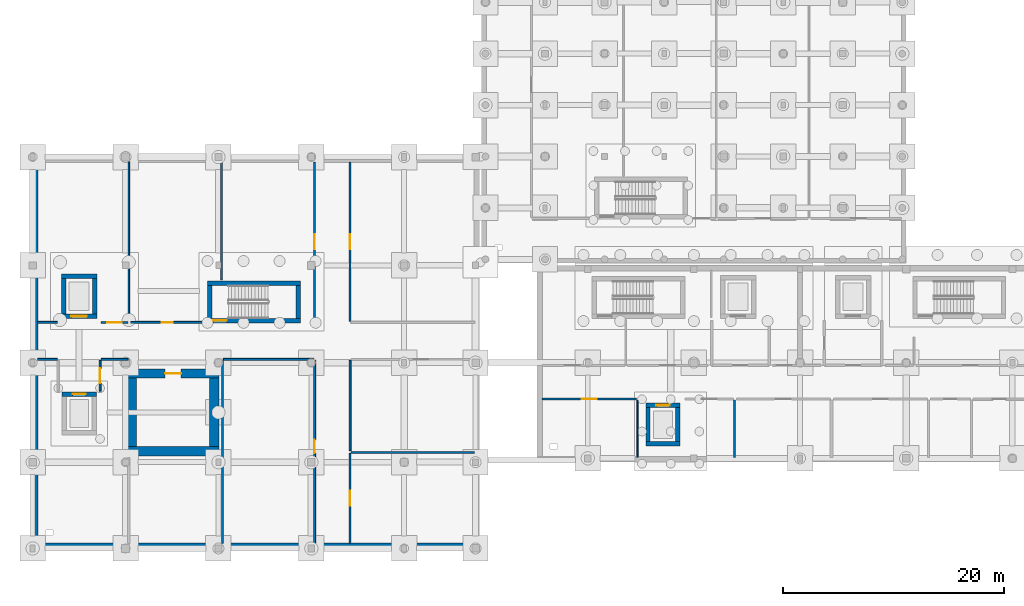
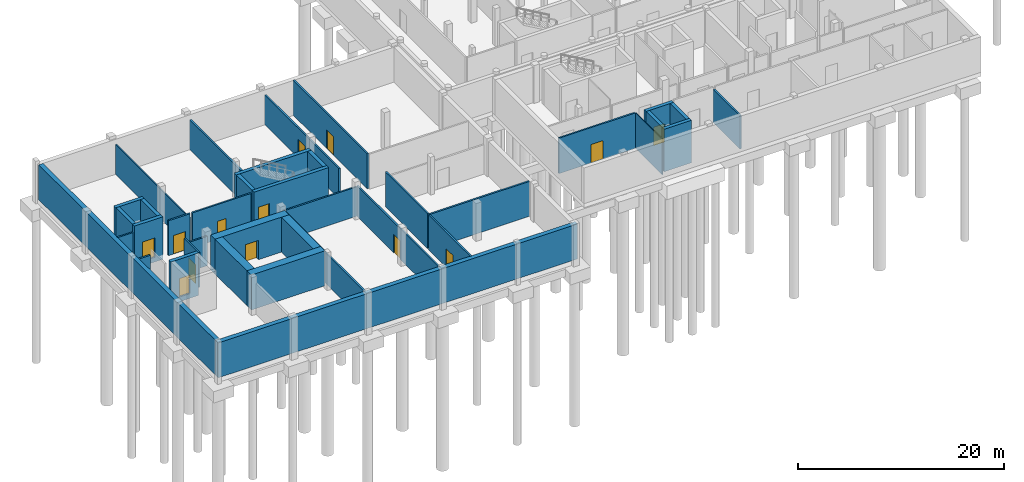
# One storey, part 6 of 14: 38 walls, 13 doors, 13 openings.
"""IFC4 building model written with IfcOpenShell, lengths in metres."""

from ifc_helpers import new_model, si_unit, direction, frame, frame_2d, origin, place, context, subcontext, project, spatial, rectangle, extrude, material, layer, layer_set, type_object, element, fill, save


model = new_model("IFC4")

# Units and contexts
model_context = context("Model", 3, precision=1e-05, world=origin(), true_north=direction((0.0, 1.0)))
body_context = subcontext(model_context, "Body", "Model", "MODEL_VIEW")
ifc_project = project(units=[si_unit("LENGTHUNIT", "METRE"), si_unit("AREAUNIT", "SQUARE_METRE"), si_unit("VOLUMEUNIT", "CUBIC_METRE"), si_unit("PLANEANGLEUNIT", "RADIAN"), si_unit("MASSUNIT", "GRAM", prefix="KILO")], contexts=[model_context])

# Site, building, storey
site_placement = place(None, origin())
site = spatial("IfcSite", under=ifc_project, at=site_placement, CompositionType="ELEMENT")
building_placement = place(site_placement, origin())
building = spatial("IfcBuilding", under=site, at=building_placement, Name="Birchvale Park Specialist Clinic", CompositionType="ELEMENT")
storey_placement = place(building_placement, frame((0.0, 0.0, -4.5)))
storey = spatial("IfcBuildingStorey", under=building, at=storey_placement, Name="B1", CompositionType="ELEMENT", Elevation=-4.5)

# Wall
ifc_material_1 = material(Name="Concrete C40/50", Category="concrete")
ifc_layer_1 = layer(ifc_material_1, 0.85009765625)
ifc_layer_set_1 = layer_set([ifc_layer_1], Name="Concrete C40/50")
wall_type_1 = type_object("IfcWallType", Name="WL-BW-120", PredefinedType="SHEAR", material=ifc_layer_set_1)
wall_1_placement = place(storey_placement, frame((19.75, 17.77490234375, 0.0), z_axis=(0.0, 0.0, 1.0), x_axis=(1.0, 0.0, 0.0)))
element("IfcWall", 1, at=wall_1_placement, inside=storey, type_object=wall_type_1, Name="B1 Linac radiation-shielded bunker wall (south)", PredefinedType="SHEAR", context=body_context, shape_type="SweptSolid", body=[
    extrude(rectangle(XDim=8.300048828125, YDim=0.85009765625, at=frame_2d((4.14990234375, 0.0))), origin(), (0.0, 0.0, 1.0), 4.14990234375),
])

# Wall, opening, door
wall_2_placement = place(storey_placement, frame((28.050048828125, 24.824951171875, 0.0), z_axis=(0.0, 0.0, 1.0), x_axis=(-1.0, 0.0, 0.0)))
wall_2 = element("IfcWall", 2, at=wall_2_placement, inside=storey, type_object=wall_type_1, Name="B1 Linac radiation-shielded bunker wall (north)", PredefinedType="SHEAR", context=body_context, shape_type="SweptSolid", body=[
    extrude(rectangle(XDim=8.300048828125, YDim=0.85009765625, at=frame_2d((4.14990234375, 0.0))), origin(), (0.0, 0.0, 1.0), 4.14990234375),
])
opening_1_placement = place(wall_2_placement, frame((3.425048828125, 0.0, 0.0)))
opening_1 = element("IfcOpeningElement", 3, at=opening_1_placement, cuts=wall_2, Name="Opening ID-BK90", PredefinedType="OPENING", context=body_context, shape_type="SweptSolid", body=[
    extrude(rectangle(XDim=1.449951171875, YDim=2.300048828125, at=frame_2d((0.72509765625, 1.14990234375))), frame((0.0, 0.43505859375, 0.0), z_axis=(0.0, -1.0, 0.0), x_axis=(1.0, 0.0, 0.0)), (0.0, 0.0, 1.0), 0.8701171875),
])
ifc_material_2 = material(Name="Solid-core birch veneer and anodised aluminium", Category="aluminium")
door_type_1 = type_object("IfcDoorType", Name="DR-ID-BK90", OperationType="NOTDEFINED", PredefinedType="DOOR", material=ifc_material_2)
door_1_placement = place(opening_1_placement, origin())
door_1 = element("IfcDoor", 4, at=door_1_placement, inside=storey, type_object=door_type_1, Name="B1 Linac radiation bunker shielded door", OperationType="SINGLE_SWING_RIGHT", OverallHeight=2.300048828125, OverallWidth=1.449951171875, PredefinedType="DOOR", context=body_context, shape_type="SweptSolid", body=[
    extrude(rectangle(XDim=1.449951171875, YDim=2.300048828125, at=frame_2d((0.72509765625, 1.14990234375))), frame((0.0, 0.02490234375, 0.0), z_axis=(0.0, -1.0, 0.0), x_axis=(1.0, 0.0, 0.0)), (0.0, 0.0, 1.0), 0.050048828125),
])
fill(opening_1, door_1)

# Walls
for number, where, z_axis, x_axis, name in (
    (5, (20.175048828125, 18.199951171875, 0.0), (0.0, 0.0, 1.0), (0.0, 1.0, 0.0), "B1 Linac radiation-shielded bunker wall (west)"),
    (6, (27.625, 24.39990234375, 0.0), (0.0, 0.0, 1.0), (0.0, -1.0, 0.0), "B1 Linac radiation-shielded bunker wall (east)"),
):
    element("IfcWall", number, at=place(storey_placement, frame(where, z_axis=z_axis, x_axis=x_axis)), inside=storey, type_object=wall_type_1, Name=name, PredefinedType="SHEAR", context=body_context, shape_type="SweptSolid", body=[
        extrude(rectangle(XDim=6.199951171875, YDim=0.85009765625, at=frame_2d((3.10009765625, 0.0))), origin(), (0.0, 0.0, 1.0), 4.14990234375),
    ])

# Wall, opening, door
ifc_layer_2 = layer(ifc_material_1, 0.39990234375)
ifc_layer_set_2 = layer_set([ifc_layer_2], Name="Concrete C40/50")
wall_type_2 = type_object("IfcWallType", Name="WL-CW-120", PredefinedType="SHEAR", material=ifc_layer_set_2)
wall_3_placement = place(storey_placement, frame((27.0, 29.60009765625, -0.550048828125), z_axis=(0.0, 0.0, 1.0), x_axis=(1.0, 0.0, 0.0)))
wall_3 = element("IfcWall", 7, at=wall_3_placement, inside=storey, type_object=wall_type_2, Name="B1 stair ST2 EI 120 enclosure wall (south)", PredefinedType="SHEAR", context=body_context, shape_type="SweptSolid", body=[
    extrude(rectangle(XDim=8.39990234375, YDim=0.39990234375, at=frame_2d((4.199951171875, 0.0))), origin(), (0.0, 0.0, 1.0), 4.699951171875),
])
opening_2_placement = place(wall_3_placement, frame((0.52001953125, 0.0, 0.550048828125)))
opening_2 = element("IfcOpeningElement", 8, at=opening_2_placement, cuts=wall_3, Name="Opening ID-FD60", PredefinedType="OPENING", context=body_context, shape_type="SweptSolid", body=[
    extrude(rectangle(XDim=1.25, YDim=2.199951171875, at=frame_2d((0.625, 1.10009765625))), frame((0.0, 0.2099609375, 0.0), z_axis=(0.0, -1.0, 0.0), x_axis=(1.0, 0.0, 0.0)), (0.0, 0.0, 1.0), 0.419921875),
])
door_type_2 = type_object("IfcDoorType", Name="DR-ID-FD60", OperationType="NOTDEFINED", PredefinedType="DOOR", material=ifc_material_2)
door_2_placement = place(opening_2_placement, origin())
door_2 = element("IfcDoor", 9, at=door_2_placement, inside=storey, type_object=door_type_2, Name="B1 stair ST2 fire door", OperationType="SINGLE_SWING_LEFT", OverallHeight=2.199951171875, OverallWidth=1.25, PredefinedType="DOOR", context=body_context, shape_type="SweptSolid", body=[
    extrude(rectangle(XDim=1.25, YDim=2.199951171875, at=frame_2d((0.625, 1.10009765625))), frame((0.0, 0.02490234375, 0.0), z_axis=(0.0, -1.0, 0.0), x_axis=(1.0, 0.0, 0.0)), (0.0, 0.0, 1.0), 0.050048828125),
])
fill(opening_2, door_2)

# Walls
wall_4_placement = place(storey_placement, frame((35.39990234375, 33.0, -0.550048828125), z_axis=(0.0, 0.0, 1.0), x_axis=(-1.0, 0.0, 0.0)))
element("IfcWall", 10, at=wall_4_placement, inside=storey, type_object=wall_type_2, Name="B1 stair ST2 EI 120 enclosure wall (north)", PredefinedType="SHEAR", context=body_context, shape_type="SweptSolid", body=[
    extrude(rectangle(XDim=8.39990234375, YDim=0.39990234375, at=frame_2d((4.199951171875, 0.0))), origin(), (0.0, 0.0, 1.0), 4.699951171875),
])
for number, where, z_axis, x_axis, name in (
    (11, (27.199951171875, 29.800048828125, -0.550048828125), (0.0, 0.0, 1.0), (0.0, 1.0, 0.0), "B1 stair ST2 EI 120 enclosure wall (west)"),
    (12, (35.199951171875, 32.800048828125, -0.550048828125), (0.0, 0.0, 1.0), (0.0, -1.0, 0.0), "B1 stair ST2 EI 120 enclosure wall (east)"),
):
    element("IfcWall", number, at=place(storey_placement, frame(where, z_axis=z_axis, x_axis=x_axis)), inside=storey, type_object=wall_type_2, Name=name, PredefinedType="SHEAR", context=body_context, shape_type="SweptSolid", body=[
        extrude(rectangle(XDim=3.0, YDim=0.39990234375, at=frame_2d((1.5, 0.0))), origin(), (0.0, 0.0, 1.0), 4.699951171875),
    ])
wall_5_placement = place(storey_placement, frame((66.64990234375, 18.449951171875, -0.550048828125), z_axis=(0.0, 0.0, 1.0), x_axis=(1.0, 0.0, 0.0)))
element("IfcWall", 13, at=wall_5_placement, inside=storey, type_object=wall_type_2, Name="B1 lift LP1 shaft wall (south)", PredefinedType="SHEAR", context=body_context, shape_type="SweptSolid", body=[
    extrude(rectangle(XDim=3.10009765625, YDim=0.39990234375, at=frame_2d((1.550048828125, 0.0))), origin(), (0.0, 0.0, 1.0), 5.050048828125),
])

# Wall, opening, door
wall_6_placement = place(storey_placement, frame((69.75, 21.949951171875, -0.550048828125), z_axis=(0.0, 0.0, 1.0), x_axis=(-1.0, 0.0, 0.0)))
wall_6 = element("IfcWall", 14, at=wall_6_placement, inside=storey, type_object=wall_type_2, Name="B1 lift LP1 shaft wall (north)", PredefinedType="SHEAR", context=body_context, shape_type="SweptSolid", body=[
    extrude(rectangle(XDim=3.10009765625, YDim=0.39990234375, at=frame_2d((1.550048828125, 0.0))), origin(), (0.0, 0.0, 1.0), 5.050048828125),
])
opening_3_placement = place(wall_6_placement, frame((0.949951171875, 0.0, 0.550048828125)))
opening_3 = element("IfcOpeningElement", 15, at=opening_3_placement, cuts=wall_6, Name="Opening LD-01", PredefinedType="OPENING", context=body_context, shape_type="SweptSolid", body=[
    extrude(rectangle(XDim=1.199951171875, YDim=2.199951171875, at=frame_2d((0.60009765625, 1.10009765625))), frame((0.0, 0.2099609375, 0.0), z_axis=(0.0, -1.0, 0.0), x_axis=(1.0, 0.0, 0.0)), (0.0, 0.0, 1.0), 0.419921875),
])
door_type_3 = type_object("IfcDoorType", Name="DR-LD-01", OperationType="DOUBLE_DOOR_SLIDING", PredefinedType="DOOR", material=ifc_material_2)
door_3_placement = place(opening_3_placement, origin())
door_3 = element("IfcDoor", 16, at=door_3_placement, inside=storey, type_object=door_type_3, Name="B1 lift LP1 sliding landing door", OperationType="DOUBLE_DOOR_SLIDING", OverallHeight=2.199951171875, OverallWidth=1.199951171875, PredefinedType="DOOR", context=body_context, shape_type="SweptSolid", body=[
    extrude(rectangle(XDim=1.199951171875, YDim=2.199951171875, at=frame_2d((0.60009765625, 1.10009765625))), frame((0.0, 0.02490234375, 0.0), z_axis=(0.0, -1.0, 0.0), x_axis=(1.0, 0.0, 0.0)), (0.0, 0.0, 1.0), 0.050048828125),
])
fill(opening_3, door_3)

# Walls
for number, where, z_axis, x_axis, name in (
    (17, (66.85009765625, 18.64990234375, -0.550048828125), (0.0, 0.0, 1.0), (0.0, 1.0, 0.0), "B1 lift LP1 shaft wall (west)"),
    (18, (69.550048828125, 21.75, -0.550048828125), (0.0, 0.0, 1.0), (0.0, -1.0, 0.0), "B1 lift LP1 shaft wall (east)"),
):
    element("IfcWall", number, at=place(storey_placement, frame(where, z_axis=z_axis, x_axis=x_axis)), inside=storey, type_object=wall_type_2, Name=name, PredefinedType="SHEAR", context=body_context, shape_type="SweptSolid", body=[
        extrude(rectangle(XDim=3.10009765625, YDim=0.39990234375, at=frame_2d((1.550048828125, 0.0))), origin(), (0.0, 0.0, 1.0), 5.050048828125),
    ])

# Wall, opening, door
wall_7_placement = place(storey_placement, frame((16.949951171875, 22.949951171875, -0.550048828125), z_axis=(0.0, 0.0, 1.0), x_axis=(-1.0, 0.0, 0.0)))
wall_7 = element("IfcWall", 19, at=wall_7_placement, inside=storey, type_object=wall_type_2, Name="B1 lift LP3 shaft wall (north)", PredefinedType="SHEAR", context=body_context, shape_type="SweptSolid", body=[
    extrude(rectangle(XDim=3.099853515625, YDim=0.39990234375, at=frame_2d((1.5498046875, 0.0))), origin(), (0.0, 0.0, 1.0), 5.050048828125),
])
opening_4_placement = place(wall_7_placement, frame((0.949951171875, 0.0, 0.550048828125)))
opening_4 = element("IfcOpeningElement", 20, at=opening_4_placement, cuts=wall_7, Name="Opening LD-01", PredefinedType="OPENING", context=body_context, shape_type="SweptSolid", body=[
    extrude(rectangle(XDim=1.199951171875, YDim=2.199951171875, at=frame_2d((0.60009765625, 1.10009765625))), frame((0.0, 0.2099609375, 0.0), z_axis=(0.0, -1.0, 0.0), x_axis=(1.0, 0.0, 0.0)), (0.0, 0.0, 1.0), 0.419921875),
])
door_4_placement = place(opening_4_placement, origin())
door_4 = element("IfcDoor", 21, at=door_4_placement, inside=storey, type_object=door_type_3, Name="B1 lift LP3 sliding landing door", OperationType="DOUBLE_DOOR_SLIDING", OverallHeight=2.199951171875, OverallWidth=1.199951171875, PredefinedType="DOOR", context=body_context, shape_type="SweptSolid", body=[
    extrude(rectangle(XDim=1.199951171875, YDim=2.199951171875, at=frame_2d((0.60009765625, 1.10009765625))), frame((0.0, 0.02490234375, 0.0), z_axis=(0.0, -1.0, 0.0), x_axis=(1.0, 0.0, 0.0)), (0.0, 0.0, 1.0), 0.050048828125),
])
fill(opening_4, door_4)

wall_8_placement = place(storey_placement, frame((13.800048828125, 30.0, -0.550048828125), z_axis=(0.0, 0.0, 1.0), x_axis=(1.0, 0.0, 0.0)))
wall_8 = element("IfcWall", 22, at=wall_8_placement, inside=storey, type_object=wall_type_2, Name="B1 lift LS1 shaft wall (south)", PredefinedType="SHEAR", context=body_context, shape_type="SweptSolid", body=[
    extrude(rectangle(XDim=3.199951171875, YDim=0.39990234375, at=frame_2d((1.60009765625, 0.0))), origin(), (0.0, 0.0, 1.0), 5.050048828125),
])
opening_5_placement = place(wall_8_placement, frame((0.89990234375, 0.0, 0.550048828125)))
opening_5 = element("IfcOpeningElement", 23, at=opening_5_placement, cuts=wall_8, Name="Opening LD-03", PredefinedType="OPENING", context=body_context, shape_type="SweptSolid", body=[
    extrude(rectangle(XDim=1.39990234375, YDim=2.300048828125, at=frame_2d((0.699951171875, 1.14990234375))), frame((0.0, 0.2099609375, 0.0), z_axis=(0.0, -1.0, 0.0), x_axis=(1.0, 0.0, 0.0)), (0.0, 0.0, 1.0), 0.419921875),
])
door_type_4 = type_object("IfcDoorType", Name="DR-LD-03", OperationType="DOUBLE_DOOR_SLIDING", PredefinedType="DOOR", material=ifc_material_2)
door_5_placement = place(opening_5_placement, origin())
door_5 = element("IfcDoor", 24, at=door_5_placement, inside=storey, type_object=door_type_4, Name="B1 lift LS1 sliding landing door", OperationType="DOUBLE_DOOR_SLIDING", OverallHeight=2.300048828125, OverallWidth=1.39990234375, PredefinedType="DOOR", context=body_context, shape_type="SweptSolid", body=[
    extrude(rectangle(XDim=1.39990234375, YDim=2.300048828125, at=frame_2d((0.699951171875, 1.14990234375))), frame((0.0, 0.02490234375, 0.0), z_axis=(0.0, -1.0, 0.0), x_axis=(1.0, 0.0, 0.0)), (0.0, 0.0, 1.0), 0.050048828125),
])
fill(opening_5, door_5)

# Walls
for number, where, z_axis, x_axis, name in (
    (25, (17.0, 33.60009765625, -0.550048828125), (0.0, 0.0, 1.0), (-1.0, 0.0, 0.0), "B1 lift LS1 shaft wall (north)"),
    (26, (14.0, 30.199951171875, -0.550048828125), (0.0, 0.0, 1.0), (0.0, 1.0, 0.0), "B1 lift LS1 shaft wall (west)"),
    (27, (16.800048828125, 33.39990234375, -0.550048828125), (0.0, 0.0, 1.0), (0.0, -1.0, 0.0), "B1 lift LS1 shaft wall (east)"),
):
    element("IfcWall", number, at=place(storey_placement, frame(where, z_axis=z_axis, x_axis=x_axis)), inside=storey, type_object=wall_type_2, Name=name, PredefinedType="SHEAR", context=body_context, shape_type="SweptSolid", body=[
        extrude(rectangle(XDim=3.199951171875, YDim=0.39990234375, at=frame_2d((1.60009765625, 0.0))), origin(), (0.0, 0.0, 1.0), 5.050048828125),
    ])
ifc_material_3 = material(Name="Acoustic gypsum board on metal framing")
ifc_layer_3 = layer(ifc_material_3, 0.125)
ifc_layer_set_3 = layer_set([ifc_layer_3], Name="Acoustic gypsum board on metal framing")
wall_type_3 = type_object("IfcWallType", Name="WL-IW-04", PredefinedType="PARTITIONING", material=ifc_layer_set_3)
wall_9_placement = place(storey_placement, frame((19.89990234375, 43.9599609375, 0.0), z_axis=(0.0, 0.0, 1.0), x_axis=(0.0, -1.0, 0.0)))
element("IfcWall", 28, at=wall_9_placement, inside=storey, type_object=wall_type_3, Name="V2 B1 clinical partition 23", PredefinedType="PARTITIONING", context=body_context, shape_type="SweptSolid", body=[
    extrude(rectangle(XDim=14.429931640625, YDim=0.125, at=frame_2d((7.21484375, 0.0))), origin(), (0.0, 0.0, 1.0), 3.534912109375),
])
ifc_layer_4 = layer(ifc_material_3, 0.10009765625)
ifc_layer_set_4 = layer_set([ifc_layer_4], Name="Acoustic gypsum board on metal framing")
wall_type_4 = type_object("IfcWallType", Name="WL-IW-06", PredefinedType="PARTITIONING", material=ifc_layer_set_4)
wall_10_placement = place(storey_placement, frame((65.89599609375, 22.419921875, 0.0), z_axis=(0.0, 0.0, 1.0), x_axis=(0.0, -1.0, 0.0)))
element("IfcWall", 29, at=wall_10_placement, inside=storey, type_object=wall_type_4, Name="V4 B1 clinical partition 30", PredefinedType="PARTITIONING", context=body_context, shape_type="SweptSolid", body=[
    extrude(rectangle(XDim=5.179931640625, YDim=0.10009765625, at=frame_2d((2.58984375, 0.0))), origin(), (0.0, 0.0, 1.0), 4.219970703125),
])
ifc_layer_5 = layer(ifc_material_3, 0.195068359375)
ifc_layer_set_5 = layer_set([ifc_layer_5], Name="Acoustic gypsum board on metal framing")
wall_type_5 = type_object("IfcWallType", Name="WL-IW-07", PredefinedType="PARTITIONING", material=ifc_layer_set_5)
wall_11_placement = place(storey_placement, frame((28.360107421875, 9.43994140625, 0.0), z_axis=(0.0, 0.0, 1.0), x_axis=(0.0, 1.0, 0.0)))
element("IfcWall", 30, at=wall_11_placement, inside=storey, type_object=wall_type_5, Name="V2 B1 clinical partition 14", PredefinedType="PARTITIONING", context=body_context, shape_type="SweptSolid", body=[
    extrude(rectangle(XDim=16.580078125, YDim=0.195068359375, at=frame_2d((8.2900390625, 0.0))), origin(), (0.0, 0.0, 1.0), 3.635009765625),
])
wall_12_placement = place(storey_placement, frame((39.97998046875, 17.68994140625, 0.0), z_axis=(0.0, 0.0, 1.0), x_axis=(1.0, 0.0, 0.0)))
element("IfcWall", 31, at=wall_12_placement, inside=storey, type_object=wall_type_5, Name="V2 B1 clinical partition 17", PredefinedType="PARTITIONING", context=body_context, shape_type="SweptSolid", body=[
    extrude(rectangle(XDim=11.179931640625, YDim=0.195068359375, at=frame_2d((5.58984375, 0.0))), origin(), (0.0, 0.0, 1.0), 4.14990234375),
])
wall_13_placement = place(storey_placement, frame((28.280029296875, 43.9599609375, 0.0), z_axis=(0.0, 0.0, 1.0), x_axis=(0.0, -1.0, 0.0)))
element("IfcWall", 32, at=wall_13_placement, inside=storey, type_object=wall_type_5, Name="V2 B1 clinical partition 25", PredefinedType="PARTITIONING", context=body_context, shape_type="SweptSolid", body=[
    extrude(rectangle(XDim=10.659912109375, YDim=0.195068359375, at=frame_2d((5.330078125, 0.0))), origin(), (0.0, 0.0, 1.0), 3.534912109375),
])
wall_14_placement = place(storey_placement, frame((74.672119140625, 22.419921875, 0.0), z_axis=(0.0, 0.0, 1.0), x_axis=(0.0, -1.0, 0.0)))
element("IfcWall", 33, at=wall_14_placement, inside=storey, type_object=wall_type_5, Name="V4 B1 clinical partition 32", PredefinedType="PARTITIONING", context=body_context, shape_type="SweptSolid", body=[
    extrude(rectangle(XDim=5.179931640625, YDim=0.195068359375, at=frame_2d((2.58984375, 0.0))), origin(), (0.0, 0.0, 1.0), 3.952880859375),
])

# Wall, opening, door
ifc_layer_6 = layer(ifc_material_3, 0.179931640625)
ifc_layer_set_6 = layer_set([ifc_layer_6], Name="Acoustic gypsum board on metal framing")
wall_type_6 = type_object("IfcWallType", Name="WL-IW-60", PredefinedType="PARTITIONING", material=ifc_layer_set_6)
wall_15_placement = place(storey_placement, frame((17.300048828125, 23.22998046875, 0.0), z_axis=(0.0, 0.0, 1.0), x_axis=(0.0, 1.0, 0.0)))
wall_15 = element("IfcWall", 34, at=wall_15_placement, inside=storey, type_object=wall_type_6, Name="V2 B1 clinical partition 9", PredefinedType="PARTITIONING", context=body_context, shape_type="SweptSolid", body=[
    extrude(rectangle(XDim=2.7900390625, YDim=0.179931640625, at=frame_2d((1.39501953125, 0.0))), origin(), (0.0, 0.0, 1.0), 4.14990234375),
])
opening_6_placement = place(wall_15_placement, frame((0.705078125, 0.0, 0.0)))
opening_6 = element("IfcOpeningElement", 35, at=opening_6_placement, cuts=wall_15, Name="Opening ID-06", PredefinedType="OPENING", context=body_context, shape_type="SweptSolid", body=[
    extrude(rectangle(XDim=1.3798828125, YDim=2.25, at=frame_2d((0.68994140625, 1.125))), frame((0.0, 0.10009765625, 0.0), z_axis=(0.0, -1.0, 0.0), x_axis=(1.0, 0.0, 0.0)), (0.0, 0.0, 1.0), 0.199951171875),
])
door_type_5 = type_object("IfcDoorType", Name="DR-ID-06", OperationType="NOTDEFINED", PredefinedType="DOOR", material=ifc_material_2)
door_6_placement = place(opening_6_placement, origin())
door_6 = element("IfcDoor", 36, at=door_6_placement, inside=storey, type_object=door_type_5, Name="B1 Brachytherapy Treatment Room door", OperationType="SINGLE_SWING_RIGHT", OverallHeight=2.25, OverallWidth=1.3798828125, PredefinedType="DOOR", context=body_context, shape_type="SweptSolid", body=[
    extrude(rectangle(XDim=1.3798828125, YDim=2.25, at=frame_2d((0.68994140625, 1.125))), frame((0.0, 0.02490234375, 0.0), z_axis=(0.0, -1.0, 0.0), x_axis=(1.0, 0.0, 0.0)), (0.0, 0.0, 1.0), 0.050048828125),
])
fill(opening_6, door_6)

# Walls
wall_16_placement = place(storey_placement, frame((17.3798828125, 26.10009765625, 0.0), z_axis=(0.0, 0.0, 1.0), x_axis=(1.0, 0.0, 0.0)))
element("IfcWall", 37, at=wall_16_placement, inside=storey, type_object=wall_type_6, Name="V2 B1 clinical partition 10", PredefinedType="PARTITIONING", context=body_context, shape_type="SweptSolid", body=[
    extrude(rectangle(XDim=2.440185546875, YDim=0.179931640625, at=frame_2d((1.22021484375, 0.0))), origin(), (0.0, 0.0, 1.0), 3.485107421875),
])
wall_17_placement = place(storey_placement, frame((11.639892578125, 26.10009765625, 0.0), z_axis=(0.0, 0.0, 1.0), x_axis=(1.0, 0.0, 0.0)))
element("IfcWall", 38, at=wall_17_placement, inside=storey, type_object=wall_type_6, Name="V2 B1 clinical partition 12", PredefinedType="PARTITIONING", context=body_context, shape_type="SweptSolid", body=[
    extrude(rectangle(XDim=1.780029296875, YDim=0.179931640625, at=frame_2d((0.89013671875, 0.0))), origin(), (0.0, 0.0, 1.0), 3.485107421875),
])
wall_18_placement = place(storey_placement, frame((28.43994140625, 26.10009765625, 0.0), z_axis=(0.0, 0.0, 1.0), x_axis=(1.0, 0.0, 0.0)))
element("IfcWall", 39, at=wall_18_placement, inside=storey, type_object=wall_type_6, Name="V2 B1 clinical partition 15", PredefinedType="PARTITIONING", context=body_context, shape_type="SweptSolid", body=[
    extrude(rectangle(XDim=8.18017578125, YDim=0.179931640625, at=frame_2d((4.090087890625, 0.0))), origin(), (0.0, 0.0, 1.0), 3.485107421875),
])

# Wall, opening, door
wall_19_placement = place(storey_placement, frame((36.699951171875, 26.02001953125, 0.0), z_axis=(0.0, 0.0, 1.0), x_axis=(0.0, -1.0, 0.0)))
wall_19 = element("IfcWall", 40, at=wall_19_placement, inside=storey, type_object=wall_type_6, Name="V2 B1 clinical partition 16", PredefinedType="PARTITIONING", context=body_context, shape_type="SweptSolid", body=[
    extrude(rectangle(XDim=16.580078125, YDim=0.179931640625, at=frame_2d((8.2900390625, 0.0))), origin(), (0.0, 0.0, 1.0), 3.635009765625),
])
opening_7_placement = place(wall_19_placement, frame((7.179931640625, 0.0, 0.0)))
opening_7 = element("IfcOpeningElement", 41, at=opening_7_placement, cuts=wall_19, Name="Opening ID-10", PredefinedType="OPENING", context=body_context, shape_type="SweptSolid", body=[
    extrude(rectangle(XDim=1.219970703125, YDim=2.179931640625, at=frame_2d((0.60986328125, 1.08984375))), frame((0.0, 0.10009765625, 0.0), z_axis=(0.0, -1.0, 0.0), x_axis=(1.0, 0.0, 0.0)), (0.0, 0.0, 1.0), 0.199951171875),
])
door_type_6 = type_object("IfcDoorType", Name="DR-ID-10", OperationType="NOTDEFINED", PredefinedType="DOOR", material=ifc_material_2)
door_7_placement = place(opening_7_placement, origin())
door_7 = element("IfcDoor", 42, at=door_7_placement, inside=storey, type_object=door_type_6, Name="B1 Radiotherapy Dosimetry Control Room door", OperationType="SINGLE_SWING_LEFT", OverallHeight=2.179931640625, OverallWidth=1.219970703125, PredefinedType="DOOR", context=body_context, shape_type="SweptSolid", body=[
    extrude(rectangle(XDim=1.219970703125, YDim=2.179931640625, at=frame_2d((0.60986328125, 1.08984375))), frame((0.0, 0.02490234375, 0.0), z_axis=(0.0, -1.0, 0.0), x_axis=(1.0, 0.0, 0.0)), (0.0, 0.0, 1.0), 0.050048828125),
])
fill(opening_7, door_7)

wall_20_placement = place(storey_placement, frame((39.89990234375, 9.43994140625, 0.0), z_axis=(0.0, 0.0, 1.0), x_axis=(0.0, 1.0, 0.0)))
wall_20 = element("IfcWall", 43, at=wall_20_placement, inside=storey, type_object=wall_type_6, Name="V2 B1 clinical partition 18", PredefinedType="PARTITIONING", context=body_context, shape_type="SweptSolid", body=[
    extrude(rectangle(XDim=8.170166015625, YDim=0.179931640625, at=frame_2d((4.0849609375, 0.0))), origin(), (0.0, 0.0, 1.0), 4.14990234375),
])
opening_8_placement = place(wall_20_placement, frame((3.409912109375, 0.0, 0.0)))
opening_8 = element("IfcOpeningElement", 44, at=opening_8_placement, cuts=wall_20, Name="Opening ID-FD30", PredefinedType="OPENING", context=body_context, shape_type="SweptSolid", body=[
    extrude(rectangle(XDim=1.35009765625, YDim=2.199951171875, at=frame_2d((0.675048828125, 1.10009765625))), frame((0.0, 0.10009765625, 0.0), z_axis=(0.0, -1.0, 0.0), x_axis=(1.0, 0.0, 0.0)), (0.0, 0.0, 1.0), 0.199951171875),
])
door_type_7 = type_object("IfcDoorType", Name="DR-ID-FD30", OperationType="NOTDEFINED", PredefinedType="DOOR", material=ifc_material_2)
door_8_placement = place(opening_8_placement, origin())
door_8 = element("IfcDoor", 45, at=door_8_placement, inside=storey, type_object=door_type_7, Name="B1 Central MEP Plant Room door", OperationType="SINGLE_SWING_RIGHT", OverallHeight=2.199951171875, OverallWidth=1.35009765625, PredefinedType="DOOR", context=body_context, shape_type="SweptSolid", body=[
    extrude(rectangle(XDim=1.35009765625, YDim=2.199951171875, at=frame_2d((0.675048828125, 1.10009765625))), frame((0.0, 0.02490234375, 0.0), z_axis=(0.0, -1.0, 0.0), x_axis=(1.0, 0.0, 0.0)), (0.0, 0.0, 1.0), 0.050048828125),
])
fill(opening_8, door_8)

# Wall
wall_21_placement = place(storey_placement, frame((39.89990234375, 17.85009765625, 0.0), z_axis=(0.0, 0.0, 1.0), x_axis=(0.0, 1.0, 0.0)))
element("IfcWall", 46, at=wall_21_placement, inside=storey, type_object=wall_type_6, Name="V2 B1 clinical partition 19", PredefinedType="PARTITIONING", context=body_context, shape_type="SweptSolid", body=[
    extrude(rectangle(XDim=8.169921875, YDim=0.179931640625, at=frame_2d((4.0849609375, 0.0))), origin(), (0.0, 0.0, 1.0), 4.14990234375),
])

# Wall, opening, door
wall_22_placement = place(storey_placement, frame((19.820068359375, 29.449951171875, 0.0), z_axis=(0.0, 0.0, 1.0), x_axis=(-1.0, 0.0, 0.0)))
wall_22 = element("IfcWall", 47, at=wall_22_placement, inside=storey, type_object=wall_type_6, Name="V2 B1 clinical partition 21", PredefinedType="PARTITIONING", context=body_context, shape_type="SweptSolid", body=[
    extrude(rectangle(XDim=2.440185546875, YDim=0.179931640625, at=frame_2d((1.22021484375, 0.0))), origin(), (0.0, 0.0, 1.0), 4.14990234375),
])
opening_9_placement = place(wall_22_placement, frame((0.544921875, 0.0, 0.0)))
opening_9 = element("IfcOpeningElement", 48, at=opening_9_placement, cuts=wall_22, Name="Opening ID-FD30", PredefinedType="OPENING", context=body_context, shape_type="SweptSolid", body=[
    extrude(rectangle(XDim=1.35009765625, YDim=2.199951171875, at=frame_2d((0.675048828125, 1.10009765625))), frame((0.0, 0.10009765625, 0.0), z_axis=(0.0, -1.0, 0.0), x_axis=(1.0, 0.0, 0.0)), (0.0, 0.0, 1.0), 0.199951171875),
])
door_9_placement = place(opening_9_placement, origin())
door_9 = element("IfcDoor", 49, at=door_9_placement, inside=storey, type_object=door_type_7, Name="B1 Medical Gas Manifold Room door", OperationType="SINGLE_SWING_RIGHT", OverallHeight=2.199951171875, OverallWidth=1.35009765625, PredefinedType="DOOR", context=body_context, shape_type="SweptSolid", body=[
    extrude(rectangle(XDim=1.35009765625, YDim=2.199951171875, at=frame_2d((0.675048828125, 1.10009765625))), frame((0.0, 0.02490234375, 0.0), z_axis=(0.0, -1.0, 0.0), x_axis=(1.0, 0.0, 0.0)), (0.0, 0.0, 1.0), 0.050048828125),
])
fill(opening_9, door_9)

# Wall
wall_23_placement = place(storey_placement, frame((13.419921875, 29.449951171875, 0.0), z_axis=(0.0, 0.0, 1.0), x_axis=(-1.0, 0.0, 0.0)))
element("IfcWall", 50, at=wall_23_placement, inside=storey, type_object=wall_type_6, Name="V2 B1 clinical partition 22", PredefinedType="PARTITIONING", context=body_context, shape_type="SweptSolid", body=[
    extrude(rectangle(XDim=1.780029296875, YDim=0.179931640625, at=frame_2d((0.89013671875, 0.0))), origin(), (0.0, 0.0, 1.0), 4.14990234375),
])

# Wall, opening, door
wall_24_placement = place(storey_placement, frame((26.6650390625, 29.449951171875, 0.0), z_axis=(0.0, 0.0, 1.0), x_axis=(-1.0, 0.0, 0.0)))
wall_24 = element("IfcWall", 51, at=wall_24_placement, inside=storey, type_object=wall_type_6, Name="V2 B1 clinical partition 24", PredefinedType="PARTITIONING", context=body_context, shape_type="SweptSolid", body=[
    extrude(rectangle(XDim=6.60498046875, YDim=0.179931640625, at=frame_2d((3.302490234375, 0.0))), origin(), (0.0, 0.0, 1.0), 4.14990234375),
])
opening_10_placement = place(wall_24_placement, frame((2.802490234375, 0.0, 0.0)))
opening_10 = element("IfcOpeningElement", 52, at=opening_10_placement, cuts=wall_24, Name="Opening ID-01", PredefinedType="OPENING", context=body_context, shape_type="SweptSolid", body=[
    extrude(rectangle(XDim=1.0, YDim=2.14990234375, at=frame_2d((0.5, 1.074951171875))), frame((0.0, 0.10009765625, 0.0), z_axis=(0.0, -1.0, 0.0), x_axis=(1.0, 0.0, 0.0)), (0.0, 0.0, 1.0), 0.199951171875),
])
door_type_8 = type_object("IfcDoorType", Name="DR-ID-01", OperationType="NOTDEFINED", PredefinedType="DOOR", material=ifc_material_2)
door_10_placement = place(opening_10_placement, origin())
door_10 = element("IfcDoor", 53, at=door_10_placement, inside=storey, type_object=door_type_8, Name="B1 Brachytherapy Treatment Room door", OperationType="SINGLE_SWING_LEFT", OverallHeight=2.14990234375, OverallWidth=1.0, PredefinedType="DOOR", context=body_context, shape_type="SweptSolid", body=[
    extrude(rectangle(XDim=1.0, YDim=2.14990234375, at=frame_2d((0.5, 1.074951171875))), frame((0.0, 0.02490234375, 0.0), z_axis=(0.0, -1.0, 0.0), x_axis=(1.0, 0.0, 0.0)), (0.0, 0.0, 1.0), 0.050048828125),
])
fill(opening_10, door_10)

wall_25_placement = place(storey_placement, frame((36.699951171875, 43.9599609375, 0.0), z_axis=(0.0, 0.0, 1.0), x_axis=(0.0, -1.0, 0.0)))
wall_25 = element("IfcWall", 54, at=wall_25_placement, inside=storey, type_object=wall_type_6, Name="V2 B1 clinical partition 26", PredefinedType="PARTITIONING", context=body_context, shape_type="SweptSolid", body=[
    extrude(rectangle(XDim=14.429931640625, YDim=0.179931640625, at=frame_2d((7.21484375, 0.0))), origin(), (0.0, 0.0, 1.0), 3.534912109375),
])
opening_11_placement = place(wall_25_placement, frame((6.5400390625, 0.0, 0.0)))
opening_11 = element("IfcOpeningElement", 55, at=opening_11_placement, cuts=wall_25, Name="Opening ID-FD30", PredefinedType="OPENING", context=body_context, shape_type="SweptSolid", body=[
    extrude(rectangle(XDim=1.35009765625, YDim=2.199951171875, at=frame_2d((0.675048828125, 1.10009765625))), frame((0.0, 0.10009765625, 0.0), z_axis=(0.0, -1.0, 0.0), x_axis=(1.0, 0.0, 0.0)), (0.0, 0.0, 1.0), 0.199951171875),
])
door_11_placement = place(opening_11_placement, origin())
door_11 = element("IfcDoor", 56, at=door_11_placement, inside=storey, type_object=door_type_7, Name="B1 Biomedical Equipment Store door", OperationType="SINGLE_SWING_RIGHT", OverallHeight=2.199951171875, OverallWidth=1.35009765625, PredefinedType="DOOR", context=body_context, shape_type="SweptSolid", body=[
    extrude(rectangle(XDim=1.35009765625, YDim=2.199951171875, at=frame_2d((0.675048828125, 1.10009765625))), frame((0.0, 0.02490234375, 0.0), z_axis=(0.0, -1.0, 0.0), x_axis=(1.0, 0.0, 0.0)), (0.0, 0.0, 1.0), 0.050048828125),
])
fill(opening_11, door_11)

wall_26_placement = place(storey_placement, frame((39.89990234375, 29.530029296875, 0.0), z_axis=(0.0, 0.0, 1.0), x_axis=(0.0, 1.0, 0.0)))
wall_26 = element("IfcWall", 57, at=wall_26_placement, inside=storey, type_object=wall_type_6, Name="V2 B1 clinical partition 27", PredefinedType="PARTITIONING", context=body_context, shape_type="SweptSolid", body=[
    extrude(rectangle(XDim=14.429931640625, YDim=0.179931640625, at=frame_2d((7.21484375, 0.0))), origin(), (0.0, 0.0, 1.0), 4.14990234375),
])
opening_12_placement = place(wall_26_placement, frame((6.5400390625, 0.0, 0.0)))
opening_12 = element("IfcOpeningElement", 58, at=opening_12_placement, cuts=wall_26, Name="Opening ID-FD30", PredefinedType="OPENING", context=body_context, shape_type="SweptSolid", body=[
    extrude(rectangle(XDim=1.35009765625, YDim=2.199951171875, at=frame_2d((0.675048828125, 1.10009765625))), frame((0.0, 0.10009765625, 0.0), z_axis=(0.0, -1.0, 0.0), x_axis=(1.0, 0.0, 0.0)), (0.0, 0.0, 1.0), 0.199951171875),
])
door_12_placement = place(opening_12_placement, origin())
door_12 = element("IfcDoor", 59, at=door_12_placement, inside=storey, type_object=door_type_7, Name="B1 Sterile Supply Store door", OperationType="SINGLE_SWING_LEFT", OverallHeight=2.199951171875, OverallWidth=1.35009765625, PredefinedType="DOOR", context=body_context, shape_type="SweptSolid", body=[
    extrude(rectangle(XDim=1.35009765625, YDim=2.199951171875, at=frame_2d((0.675048828125, 1.10009765625))), frame((0.0, 0.02490234375, 0.0), z_axis=(0.0, -1.0, 0.0), x_axis=(1.0, 0.0, 0.0)), (0.0, 0.0, 1.0), 0.050048828125),
])
fill(opening_12, door_12)

wall_27_placement = place(storey_placement, frame((57.239990234375, 22.5, 0.0), z_axis=(0.0, 0.0, 1.0), x_axis=(1.0, 0.0, 0.0)))
wall_27 = element("IfcWall", 60, at=wall_27_placement, inside=storey, type_object=wall_type_6, Name="V4 B1 clinical partition 29", PredefinedType="PARTITIONING", context=body_context, shape_type="SweptSolid", body=[
    extrude(rectangle(XDim=8.575927734375, YDim=0.179931640625, at=frame_2d((4.2880859375, 0.0))), origin(), (0.0, 0.0, 1.0), 4.219970703125),
])
opening_13_placement = place(wall_27_placement, frame((3.613037109375, 0.0, 0.0)))
opening_13 = element("IfcOpeningElement", 61, at=opening_13_placement, cuts=wall_27, Name="Opening ID-FD30", PredefinedType="OPENING", context=body_context, shape_type="SweptSolid", body=[
    extrude(rectangle(XDim=1.35009765625, YDim=2.199951171875, at=frame_2d((0.675048828125, 1.10009765625))), frame((0.0, 0.10009765625, 0.0), z_axis=(0.0, -1.0, 0.0), x_axis=(1.0, 0.0, 0.0)), (0.0, 0.0, 1.0), 0.199951171875),
])
door_13_placement = place(opening_13_placement, origin())
door_13 = element("IfcDoor", 62, at=door_13_placement, inside=storey, type_object=door_type_7, Name="B1 Biomedical Equipment Store door", OperationType="SINGLE_SWING_RIGHT", OverallHeight=2.199951171875, OverallWidth=1.35009765625, PredefinedType="DOOR", context=body_context, shape_type="SweptSolid", body=[
    extrude(rectangle(XDim=1.35009765625, YDim=2.199951171875, at=frame_2d((0.675048828125, 1.10009765625))), frame((0.0, 0.02490234375, 0.0), z_axis=(0.0, -1.0, 0.0), x_axis=(1.0, 0.0, 0.0)), (0.0, 0.0, 1.0), 0.050048828125),
])
fill(opening_13, door_13)

# Walls
ifc_layer_7 = layer(ifc_material_1, 0.5)
ifc_layer_set_7 = layer_set([ifc_layer_7], Name="Concrete C40/50")
wall_type_7 = type_object("IfcWallType", Name="WL-RW-500", PredefinedType="SHEAR", material=ifc_layer_set_7)
wall_28_placement = place(storey_placement, frame((11.199951171875, 9.25, 0.0), z_axis=(0.0, 0.0, 1.0), x_axis=(1.0, 0.0, 0.0)))
element("IfcWall", 63, at=wall_28_placement, inside=storey, type_object=wall_type_7, Name="V2 B1 retaining wall 1.1", PredefinedType="SHEAR", context=body_context, shape_type="SweptSolid", body=[
    extrude(rectangle(XDim=40.400146484375, YDim=0.5, at=frame_2d((20.2001953125, 0.0))), origin(), (0.0, 0.0, 1.0), 4.14990234375),
])
wall_29_placement = place(storey_placement, frame((11.449951171875, 9.5, 0.0), z_axis=(0.0, 0.0, 1.0), x_axis=(0.0, 1.0, 0.0)))
element("IfcWall", 64, at=wall_29_placement, inside=storey, type_object=wall_type_7, Name="V2 B1 retaining wall 1.3", PredefinedType="SHEAR", context=body_context, shape_type="SweptSolid", body=[
    extrude(rectangle(XDim=34.39990234375, YDim=0.5, at=frame_2d((17.199951171875, 0.0))), origin(), (0.0, 0.0, 1.0), 4.14990234375),
])

save(model, "model.ifc")
